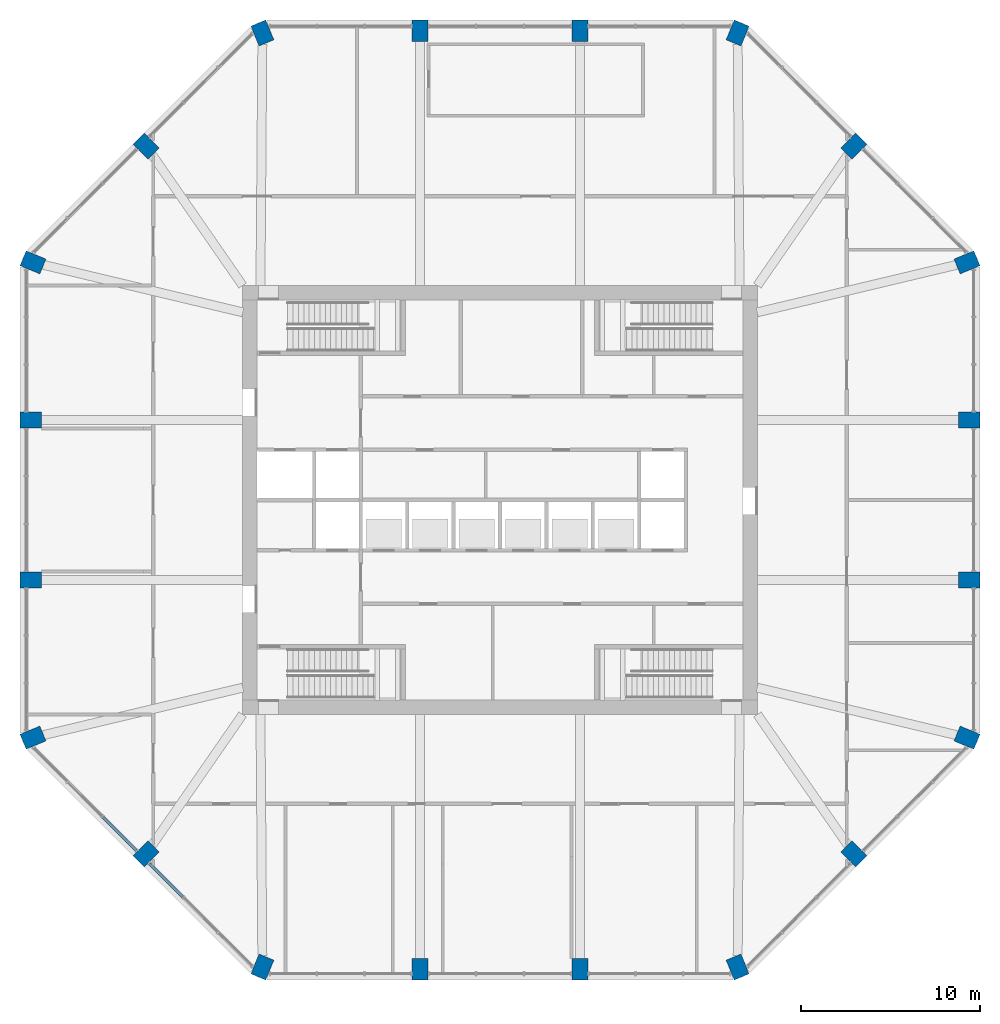
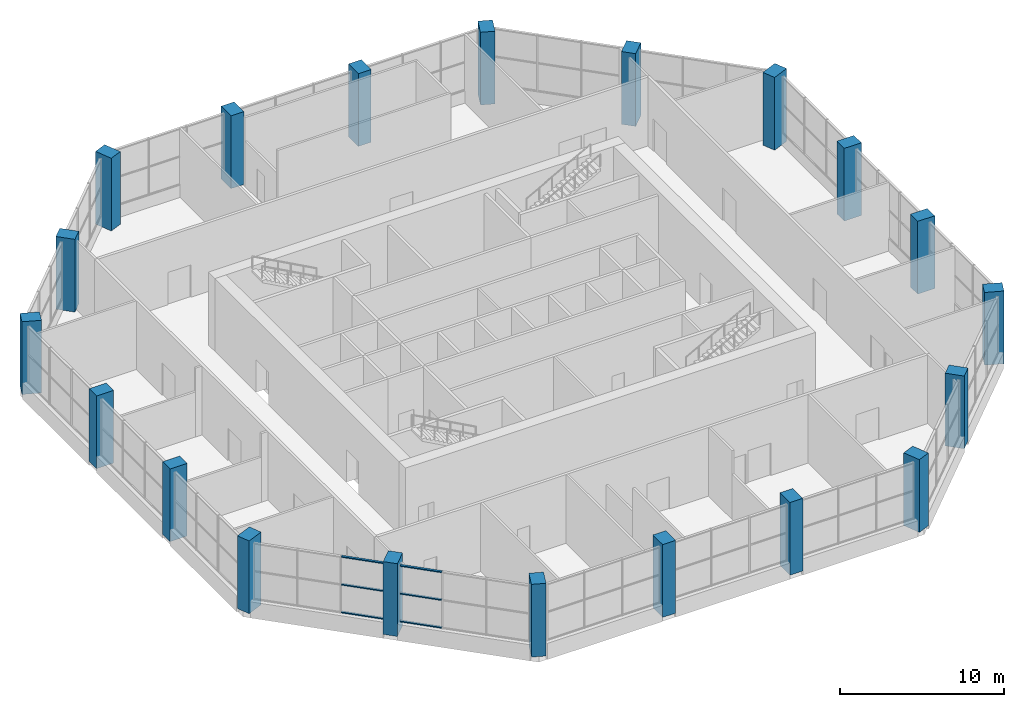
# One storey, part 1 of 16: 20 columns, 6 members, 2 elements without a shape of their own.
"""IFC4 building model written with IfcOpenShell, lengths in metres."""

from ifc_helpers import new_model, si_unit, direction, frame, origin, origin_2d, place, context, subcontext, project, spatial, rectangle, extrude, material, material_profile, profile_set, type_object, element, aggregate, save


model = new_model("IFC4")

# Units and contexts
model_context = context("Model", 3, precision=1e-05, world=origin(), true_north=direction((0.0, 1.0)))
body_context = subcontext(model_context, "Body", "Model", "MODEL_VIEW")
ifc_project = project(units=[si_unit("LENGTHUNIT", "METRE"), si_unit("AREAUNIT", "SQUARE_METRE"), si_unit("VOLUMEUNIT", "CUBIC_METRE"), si_unit("PLANEANGLEUNIT", "RADIAN"), si_unit("MASSUNIT", "GRAM", prefix="KILO")], contexts=[model_context])

# Site, building, storey
site_placement = place(None, origin())
site = spatial("IfcSite", under=ifc_project, at=site_placement, CompositionType="ELEMENT")
building_placement = place(site_placement, origin())
building = spatial("IfcBuilding", under=site, at=building_placement, Name="Msitu Wima Residences", CompositionType="ELEMENT")
storey_placement = place(building_placement, frame((0.0, 0.0, 156.89990234375)))
storey = spatial("IfcBuildingStorey", under=building, at=storey_placement, Name="L36", CompositionType="ELEMENT", Elevation=156.89990234375)

# Columns
ifc_material_1 = material(Name="Concrete C70/85", Category="concrete")
ifc_material_profile_1 = material_profile(ifc_material_1, rectangle(XDim=0.89990234375, YDim=1.199951171875, at=origin_2d()), Name="RC 900x1200")
ifc_profile_set_1 = profile_set([ifc_material_profile_1], Name="Concrete C70/85")
column_type = type_object("IfcColumnType", Name="Column RC 900x1200 Concrete C70/85", PredefinedType="COLUMN", material=ifc_profile_set_1)
for number, where, z_axis, x_axis, name in (
    (1, (26.12353515625, -13.291259765625, 0.0), (0.0, 0.0, 1.0), (0.382683496864, 0.923879505795, 0.0), "Column L36 C-E0"),
    (2, (26.25, -4.46875, 0.0), (0.0, 0.0, 1.0), (0.0, 1.0, 0.0), "Column L36 C-E1"),
    (3, (26.25, 4.46875, 0.0), (0.0, 0.0, 1.0), (0.0, 1.0, 0.0), "Column L36 C-E2"),
    (4, (26.12353515625, 13.291259765625, 0.0), (0.0, 0.0, 1.0), (-0.382683496864, 0.923879505795, 0.0), "Column L36 C-NE0"),
    (5, (19.796875, 19.796875, 0.0), (0.0, 0.0, 1.0), (-0.707106781187, 0.707106781187, 0.0), "Column L36 C-NE1"),
    (6, (13.291259765625, 26.12353515625, 0.0), (0.0, 0.0, 1.0), (-0.923879505795, 0.382683496864, 0.0), "Column L36 C-N0"),
    (7, (4.46875, 26.25, 0.0), (0.0, 0.0, 1.0), (-1.0, 0.0, 0.0), "Column L36 C-N1"),
    (8, (-4.46875, 26.25, 0.0), (0.0, 0.0, 1.0), (-1.0, 0.0, 0.0), "Column L36 C-N2"),
    (9, (-13.291259765625, 26.12353515625, 0.0), (0.0, 0.0, 1.0), (-0.923879505795, -0.382683496864, 0.0), "Column L36 C-NW0"),
    (10, (-19.796875, 19.796875, 0.0), (0.0, 0.0, 1.0), (-0.707106781187, -0.707106781187, 0.0), "Column L36 C-NW1"),
    (11, (-26.12353515625, 13.291259765625, 0.0), (0.0, 0.0, 1.0), (-0.382683496864, -0.923879505795, 0.0), "Column L36 C-W0"),
    (12, (-26.25, 4.46875, 0.0), (0.0, 0.0, 1.0), (0.0, -1.0, 0.0), "Column L36 C-W1"),
    (13, (-26.25, -4.46875, 0.0), (0.0, 0.0, 1.0), (0.0, -1.0, 0.0), "Column L36 C-W2"),
    (14, (-26.12353515625, -13.291259765625, 0.0), (0.0, 0.0, 1.0), (0.382683496864, -0.923879505795, 0.0), "Column L36 C-SW0"),
    (15, (-19.796875, -19.796875, 0.0), (0.0, 0.0, 1.0), (0.707106781187, -0.707106781187, 0.0), "Column L36 C-SW1"),
    (16, (-13.291259765625, -26.12353515625, 0.0), (0.0, 0.0, 1.0), (0.923879505795, -0.382683496864, 0.0), "Column L36 C-S0"),
    (17, (-4.46875, -26.25, 0.0), (0.0, 0.0, 1.0), (1.0, 0.0, 0.0), "Column L36 C-S1"),
    (18, (4.46875, -26.25, 0.0), (0.0, 0.0, 1.0), (1.0, 0.0, 0.0), "Column L36 C-S2"),
    (19, (13.291259765625, -26.12353515625, 0.0), (0.0, 0.0, 1.0), (0.923879505795, 0.382683496864, 0.0), "Column L36 C-SE0"),
    (20, (19.796875, -19.796875, 0.0), (0.0, 0.0, 1.0), (0.707106781187, 0.707106781187, 0.0), "Column L36 C-SE1"),
):
    element("IfcColumn", number, at=place(storey_placement, frame(where, z_axis=z_axis, x_axis=x_axis)), inside=storey, type_object=column_type, Name=name, PredefinedType="COLUMN", context=body_context, shape_type="SweptSolid", body=[
        extrude(rectangle(XDim=0.89990234375, YDim=1.199951171875, at=origin_2d()), origin(), (0.0, 0.0, 1.0), 5.400146484375),
    ])

# Curtain wall, members
ifc_material_2 = material(Name="Anodised aluminium, bronze finish, solar control laminated double glazing", Category="aluminium")
curtain_wall_type = type_object("IfcCurtainWallType", Name="Curtain wall CW2 sky amenity wall", PredefinedType="NOTDEFINED", material=ifc_material_2)
curtain_wall_1_placement = place(storey_placement, origin())
curtain_wall_1 = element("IfcCurtainWall", 21, at=curtain_wall_1_placement, inside=storey, type_object=curtain_wall_type, Name="Curtain wall CW2 L36 SW0", PredefinedType="NOTDEFINED")
ifc_material_3 = material(Name="Anodised aluminium, bronze finish", Category="aluminium")
ifc_material_profile_2 = material_profile(ifc_material_3, rectangle(XDim=0.159912109375, YDim=0.074951171875, at=origin_2d()), Name="Transom 75x160")
ifc_profile_set_2 = profile_set([ifc_material_profile_2], Name="Anodised aluminium, bronze finish")
member_type = type_object("IfcMemberType", Name="Transom CW2 75x160", PredefinedType="USERDEFINED", material=ifc_profile_set_2)
member_1_placement = place(storey_placement, frame((-22.210205078125, -17.737060546875, 0.9375), z_axis=(0.707060506079, -0.707153053266, 0.0), x_axis=(0.707153053266, 0.707060506079, 0.0)))
member_1 = element("IfcMember", 22, at=member_1_placement, type_object=member_type, Name="CW2 transom 3.1", ObjectType="TRANSOM", PredefinedType="USERDEFINED", context=body_context, shape_type="SweptSolid", body=[
    extrude(rectangle(XDim=0.159912109375, YDim=0.074951171875, at=origin_2d()), origin(), (0.0, 0.0, 1.0), 2.637939453125),
])
member_2_placement = place(storey_placement, frame((-22.210205078125, -17.737060546875, 3.0), z_axis=(0.707060506079, -0.707153053266, 0.0), x_axis=(0.707153053266, 0.707060506079, 0.0)))
member_2 = element("IfcMember", 23, at=member_2_placement, type_object=member_type, Name="CW2 transom 3.2", ObjectType="TRANSOM", PredefinedType="USERDEFINED", context=body_context, shape_type="SweptSolid", body=[
    extrude(rectangle(XDim=0.159912109375, YDim=0.074951171875, at=origin_2d()), origin(), (0.0, 0.0, 1.0), 2.637939453125),
])
member_3_placement = place(storey_placement, frame((-22.210205078125, -17.737060546875, 5.0625), z_axis=(0.707060506079, -0.707153053266, 0.0), x_axis=(0.707153053266, 0.707060506079, 0.0)))
member_3 = element("IfcMember", 24, at=member_3_placement, type_object=member_type, Name="CW2 transom 3.3", ObjectType="TRANSOM", PredefinedType="USERDEFINED", context=body_context, shape_type="SweptSolid", body=[
    extrude(rectangle(XDim=0.159912109375, YDim=0.074951171875, at=origin_2d()), origin(), (0.0, 0.0, 1.0), 2.637939453125),
])
aggregate(curtain_wall_1, [member_1, member_2, member_3])

curtain_wall_2_placement = place(storey_placement, origin())
curtain_wall_2 = element("IfcCurtainWall", 25, at=curtain_wall_2_placement, inside=storey, type_object=curtain_wall_type, Name="Curtain wall CW2 L36 SW1", PredefinedType="NOTDEFINED")
member_4_placement = place(storey_placement, frame((-19.6025390625, -20.344970703125, 0.9375), z_axis=(0.707153053266, -0.707060506079, 0.0), x_axis=(0.707060506079, 0.707153053266, 0.0)))
member_4 = element("IfcMember", 26, at=member_4_placement, type_object=member_type, Name="CW2 transom 1.1", ObjectType="TRANSOM", PredefinedType="USERDEFINED", context=body_context, shape_type="SweptSolid", body=[
    extrude(rectangle(XDim=0.159912109375, YDim=0.074951171875, at=origin_2d()), origin(), (0.0, 0.0, 1.0), 2.637939453125),
])
member_5_placement = place(storey_placement, frame((-19.6025390625, -20.344970703125, 3.0), z_axis=(0.707153053266, -0.707060506079, 0.0), x_axis=(0.707060506079, 0.707153053266, 0.0)))
member_5 = element("IfcMember", 27, at=member_5_placement, type_object=member_type, Name="CW2 transom 1.2", ObjectType="TRANSOM", PredefinedType="USERDEFINED", context=body_context, shape_type="SweptSolid", body=[
    extrude(rectangle(XDim=0.159912109375, YDim=0.074951171875, at=origin_2d()), origin(), (0.0, 0.0, 1.0), 2.637939453125),
])
member_6_placement = place(storey_placement, frame((-19.6025390625, -20.344970703125, 5.0625), z_axis=(0.707153053266, -0.707060506079, 0.0), x_axis=(0.707060506079, 0.707153053266, 0.0)))
member_6 = element("IfcMember", 28, at=member_6_placement, type_object=member_type, Name="CW2 transom 1.3", ObjectType="TRANSOM", PredefinedType="USERDEFINED", context=body_context, shape_type="SweptSolid", body=[
    extrude(rectangle(XDim=0.159912109375, YDim=0.074951171875, at=origin_2d()), origin(), (0.0, 0.0, 1.0), 2.637939453125),
])
aggregate(curtain_wall_2, [member_4, member_5, member_6])

save(model, "model.ifc")
